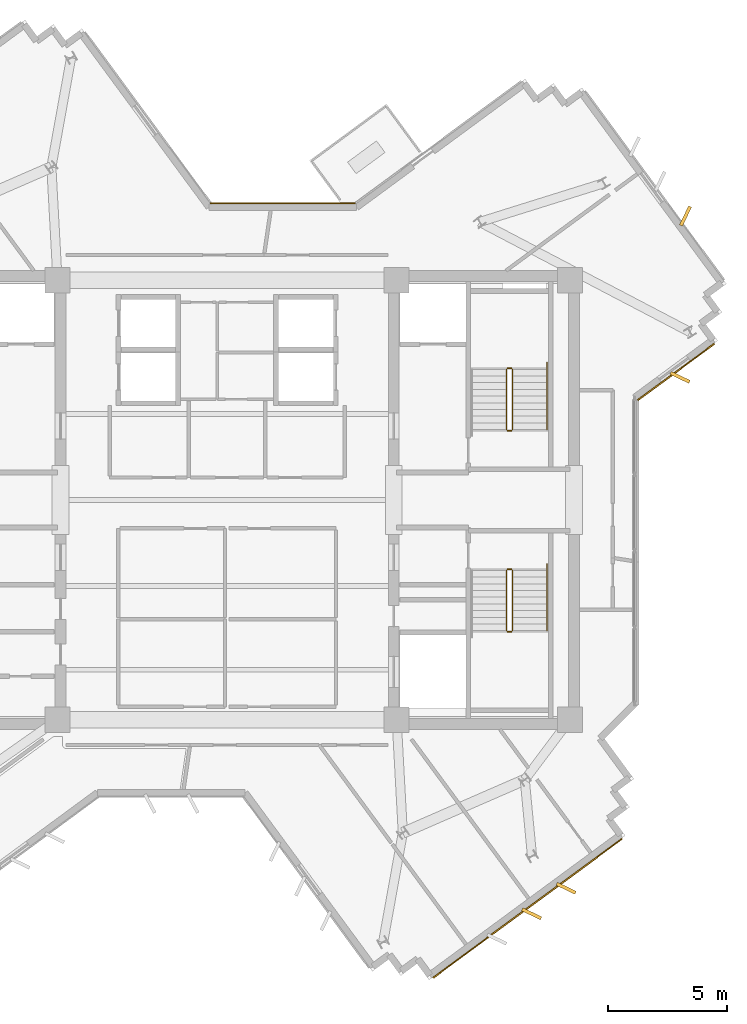
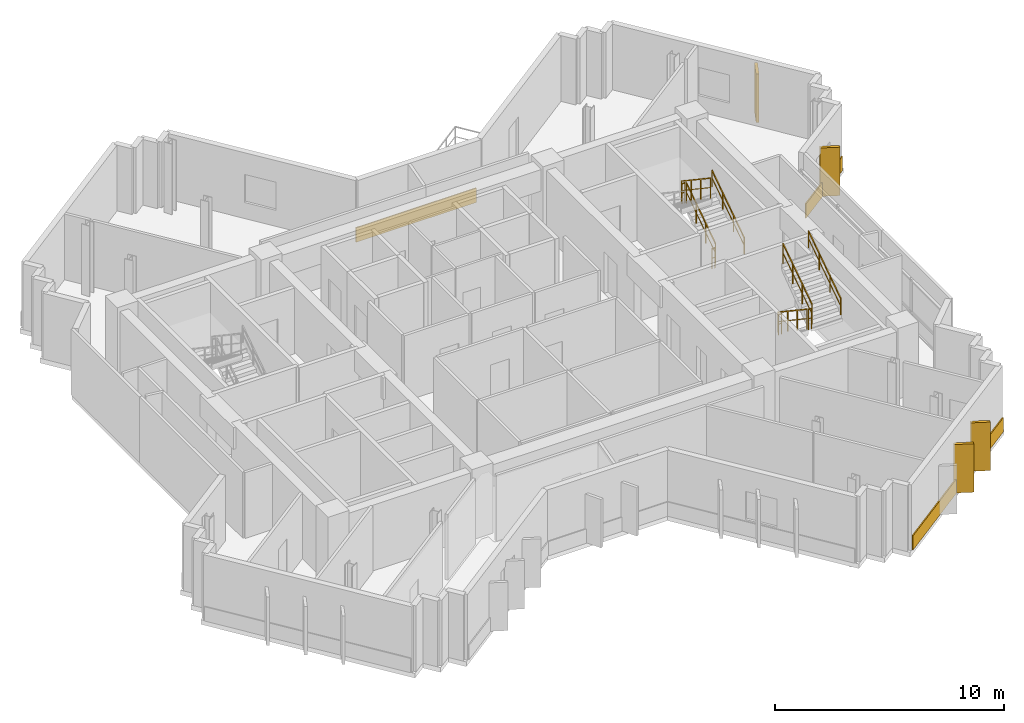
# One storey, part 12 of 13: 10 railings, 7 coverings.
"""IFC4 building model written with IfcOpenShell, lengths in metres."""

from ifc_helpers import new_model, si_unit, direction, frame, origin, origin_2d, place, context, subcontext, project, spatial, rectangle, extrude, source, transform, mapped, material, layer, layer_set, type_object, element, save


model = new_model("IFC4")

# Units and contexts
model_context = context("Model", 3, precision=1e-05, world=origin(), true_north=direction((0.0, 1.0)))
body_context = subcontext(model_context, "Body", "Model", "MODEL_VIEW")
ifc_project = project(units=[si_unit("LENGTHUNIT", "METRE"), si_unit("AREAUNIT", "SQUARE_METRE"), si_unit("VOLUMEUNIT", "CUBIC_METRE"), si_unit("PLANEANGLEUNIT", "RADIAN"), si_unit("MASSUNIT", "GRAM", prefix="KILO")], contexts=[model_context])

# Site, building, storey
site_placement = place(None, origin())
site = spatial("IfcSite", under=ifc_project, at=site_placement, CompositionType="ELEMENT")
building_placement = place(site_placement, origin())
building = spatial("IfcBuilding", under=site, at=building_placement, Name="Zahravan Cultural Tower", CompositionType="ELEMENT")
storey_placement = place(building_placement, frame((0.0, 0.0, 276.60009765625)))
storey = spatial("IfcBuildingStorey", under=building, at=storey_placement, Name="L66", CompositionType="ELEMENT", Elevation=276.60009765625)

# Railings
ifc_material_1 = material(Name="Steel ASTM A572 Grade 50", Category="steel")
railing_type_1 = type_object("IfcRailingType", Name="RL-STAIR-GRD1150", PredefinedType="BALUSTRADE", material=ifc_material_1)
railing_1_placement = place(storey_placement, frame((47.949951171875, 29.949951171875, 0.1875)))
element("IfcRailing", 1, at=railing_1_placement, inside=storey, type_object=railing_type_1, Name="L66 ST-E1 stair guard 1", PredefinedType="BALUSTRADE", context=body_context, shape_type="SweptSolid", body=[
    extrude(rectangle(XDim=0.05, YDim=0.05, at=origin_2d()), frame((0.0, 0.0, 1.0751953125), z_axis=(0.0, 0.830909170722, 0.55640807867), x_axis=(-1.0, 0.0, 0.0)), (0.0, 0.0, 1.0), 3.032958984375),
    extrude(rectangle(XDim=0.032, YDim=0.032, at=origin_2d()), frame((0.0, 0.0, 0.572021484375), z_axis=(0.0, 0.830909170722, 0.55640807867), x_axis=(-1.0, 0.0, 0.0)), (0.0, 0.0, 1.0), 3.032958984375),
    extrude(rectangle(XDim=0.04, YDim=0.04, at=origin_2d()), origin(), (0.0, 0.0, 1.0), 1.10009765625),
    extrude(rectangle(XDim=0.04, YDim=0.04, at=origin_2d()), frame((0.0, 0.840087890625, 0.5625)), (0.0, 0.0, 1.0), 1.10009765625),
    extrude(rectangle(XDim=0.04, YDim=0.04, at=origin_2d()), frame((0.0, 1.679931640625, 1.125)), (0.0, 0.0, 1.0), 1.10009765625),
    extrude(rectangle(XDim=0.04, YDim=0.04, at=origin_2d()), frame((0.0, 2.52001953125, 1.6875)), (0.0, 0.0, 1.0), 1.10009765625),
])
railing_2_placement = place(storey_placement, frame((47.89990234375, 32.52001953125, 1.875)))
element("IfcRailing", 2, at=railing_2_placement, inside=storey, type_object=railing_type_1, Name="L66 ST-E1 stair guard 2", PredefinedType="BALUSTRADE", context=body_context, shape_type="SweptSolid", body=[
    extrude(rectangle(XDim=0.05, YDim=0.05, at=origin_2d()), frame((0.0, 0.0, 1.0751953125), z_axis=(-1.0, 0.0, 0.0), x_axis=(0.0, -1.0, 0.0)), (0.0, 0.0, 1.0), 0.14990234375),
    extrude(rectangle(XDim=0.032, YDim=0.032, at=origin_2d()), frame((0.0, 0.0, 0.572021484375), z_axis=(-1.0, 0.0, 0.0), x_axis=(0.0, -1.0, 0.0)), (0.0, 0.0, 1.0), 0.14990234375),
    extrude(rectangle(XDim=0.04, YDim=0.04, at=origin_2d()), origin(), (0.0, 0.0, 1.0), 1.10009765625),
    extrude(rectangle(XDim=0.04, YDim=0.04, at=origin_2d()), frame((-0.14990234375, 0.0, 0.0)), (0.0, 0.0, 1.0), 1.10009765625),
])
railing_3_placement = place(storey_placement, frame((47.699951171875, 32.469970703125, 2.0625)))
element("IfcRailing", 3, at=railing_3_placement, inside=storey, type_object=railing_type_1, Name="L66 ST-E1 stair guard 3", PredefinedType="BALUSTRADE", context=body_context, shape_type="SweptSolid", body=[
    extrude(rectangle(XDim=0.05, YDim=0.05, at=origin_2d()), frame((0.0, 0.0, 1.0751953125), z_axis=(0.0, -0.830909170722, 0.55640807867), x_axis=(1.0, 0.0, 0.0)), (0.0, 0.0, 1.0), 3.032958984375),
    extrude(rectangle(XDim=0.032, YDim=0.032, at=origin_2d()), frame((0.0, 0.0, 0.572021484375), z_axis=(0.0, -0.830909170722, 0.55640807867), x_axis=(1.0, 0.0, 0.0)), (0.0, 0.0, 1.0), 3.032958984375),
    extrude(rectangle(XDim=0.04, YDim=0.04, at=origin_2d()), origin(), (0.0, 0.0, 1.0), 1.10009765625),
    extrude(rectangle(XDim=0.04, YDim=0.04, at=origin_2d()), frame((0.0, -0.840087890625, 0.5625)), (0.0, 0.0, 1.0), 1.10009765625),
    extrude(rectangle(XDim=0.04, YDim=0.04, at=origin_2d()), frame((0.0, -1.679931640625, 1.125)), (0.0, 0.0, 1.0), 1.10009765625),
    extrude(rectangle(XDim=0.04, YDim=0.04, at=origin_2d()), frame((0.0, -2.52001953125, 1.6875)), (0.0, 0.0, 1.0), 1.10009765625),
])
railing_4_placement = place(storey_placement, frame((47.89990234375, 29.89990234375, 0.0)))
element("IfcRailing", 4, at=railing_4_placement, inside=storey, type_object=railing_type_1, Name="L66 ST-E1 stair guard 4", PredefinedType="BALUSTRADE", context=body_context, shape_type="SweptSolid", body=[
    extrude(rectangle(XDim=0.05, YDim=0.05, at=origin_2d()), frame((0.0, 0.0, 1.0751953125), z_axis=(-1.0, 0.0, 0.0), x_axis=(0.0, -1.0, 0.0)), (0.0, 0.0, 1.0), 0.14990234375),
    extrude(rectangle(XDim=0.032, YDim=0.032, at=origin_2d()), frame((0.0, 0.0, 0.572021484375), z_axis=(-1.0, 0.0, 0.0), x_axis=(0.0, -1.0, 0.0)), (0.0, 0.0, 1.0), 0.14990234375),
    extrude(rectangle(XDim=0.04, YDim=0.04, at=origin_2d()), origin(), (0.0, 0.0, 1.0), 1.10009765625),
    extrude(rectangle(XDim=0.04, YDim=0.04, at=origin_2d()), frame((-0.14990234375, 0.0, 0.0)), (0.0, 0.0, 1.0), 1.10009765625),
])
railing_5_placement = place(storey_placement, frame((47.699951171875, 24.050048828125, 0.1875)))
element("IfcRailing", 5, at=railing_5_placement, inside=storey, type_object=railing_type_1, Name="L66 ST-E2 stair guard 1", PredefinedType="BALUSTRADE", context=body_context, shape_type="SweptSolid", body=[
    extrude(rectangle(XDim=0.05, YDim=0.05, at=origin_2d()), frame((0.0, 0.0, 1.0751953125), z_axis=(0.0, -0.830909170722, 0.55640807867), x_axis=(1.0, 0.0, 0.0)), (0.0, 0.0, 1.0), 3.032958984375),
    extrude(rectangle(XDim=0.032, YDim=0.032, at=origin_2d()), frame((0.0, 0.0, 0.572021484375), z_axis=(0.0, -0.830909170722, 0.55640807867), x_axis=(1.0, 0.0, 0.0)), (0.0, 0.0, 1.0), 3.032958984375),
    extrude(rectangle(XDim=0.04, YDim=0.04, at=origin_2d()), origin(), (0.0, 0.0, 1.0), 1.10009765625),
    extrude(rectangle(XDim=0.04, YDim=0.04, at=origin_2d()), frame((0.0, -0.840087890625, 0.5625)), (0.0, 0.0, 1.0), 1.10009765625),
    extrude(rectangle(XDim=0.04, YDim=0.04, at=origin_2d()), frame((0.0, -1.679931640625, 1.125)), (0.0, 0.0, 1.0), 1.10009765625),
    extrude(rectangle(XDim=0.04, YDim=0.04, at=origin_2d()), frame((0.0, -2.52001953125, 1.6875)), (0.0, 0.0, 1.0), 1.10009765625),
])
railing_6_placement = place(storey_placement, frame((47.75, 21.47998046875, 1.875)))
element("IfcRailing", 6, at=railing_6_placement, inside=storey, type_object=railing_type_1, Name="L66 ST-E2 stair guard 2", PredefinedType="BALUSTRADE", context=body_context, shape_type="SweptSolid", body=[
    extrude(rectangle(XDim=0.05, YDim=0.05, at=origin_2d()), frame((0.0, 0.0, 1.0751953125), z_axis=(1.0, 0.0, 0.0), x_axis=(0.0, 1.0, 0.0)), (0.0, 0.0, 1.0), 0.14990234375),
    extrude(rectangle(XDim=0.032, YDim=0.032, at=origin_2d()), frame((0.0, 0.0, 0.572021484375), z_axis=(1.0, 0.0, 0.0), x_axis=(0.0, 1.0, 0.0)), (0.0, 0.0, 1.0), 0.14990234375),
    extrude(rectangle(XDim=0.04, YDim=0.04, at=origin_2d()), origin(), (0.0, 0.0, 1.0), 1.10009765625),
    extrude(rectangle(XDim=0.04, YDim=0.04, at=origin_2d()), frame((0.14990234375, 0.0, 0.0)), (0.0, 0.0, 1.0), 1.10009765625),
])
railing_7_placement = place(storey_placement, frame((47.949951171875, 21.530029296875, 2.0625)))
element("IfcRailing", 7, at=railing_7_placement, inside=storey, type_object=railing_type_1, Name="L66 ST-E2 stair guard 3", PredefinedType="BALUSTRADE", context=body_context, shape_type="SweptSolid", body=[
    extrude(rectangle(XDim=0.05, YDim=0.05, at=origin_2d()), frame((0.0, 0.0, 1.0751953125), z_axis=(0.0, 0.830909170722, 0.55640807867), x_axis=(-1.0, 0.0, 0.0)), (0.0, 0.0, 1.0), 3.032958984375),
    extrude(rectangle(XDim=0.032, YDim=0.032, at=origin_2d()), frame((0.0, 0.0, 0.572021484375), z_axis=(0.0, 0.830909170722, 0.55640807867), x_axis=(-1.0, 0.0, 0.0)), (0.0, 0.0, 1.0), 3.032958984375),
    extrude(rectangle(XDim=0.04, YDim=0.04, at=origin_2d()), origin(), (0.0, 0.0, 1.0), 1.10009765625),
    extrude(rectangle(XDim=0.04, YDim=0.04, at=origin_2d()), frame((0.0, 0.840087890625, 0.5625)), (0.0, 0.0, 1.0), 1.10009765625),
    extrude(rectangle(XDim=0.04, YDim=0.04, at=origin_2d()), frame((0.0, 1.679931640625, 1.125)), (0.0, 0.0, 1.0), 1.10009765625),
    extrude(rectangle(XDim=0.04, YDim=0.04, at=origin_2d()), frame((0.0, 2.52001953125, 1.6875)), (0.0, 0.0, 1.0), 1.10009765625),
])
railing_8_placement = place(storey_placement, frame((47.75, 24.10009765625, 0.0)))
element("IfcRailing", 8, at=railing_8_placement, inside=storey, type_object=railing_type_1, Name="L66 ST-E2 stair guard 4", PredefinedType="BALUSTRADE", context=body_context, shape_type="SweptSolid", body=[
    extrude(rectangle(XDim=0.05, YDim=0.05, at=origin_2d()), frame((0.0, 0.0, 1.0751953125), z_axis=(1.0, 0.0, 0.0), x_axis=(0.0, 1.0, 0.0)), (0.0, 0.0, 1.0), 0.14990234375),
    extrude(rectangle(XDim=0.032, YDim=0.032, at=origin_2d()), frame((0.0, 0.0, 0.572021484375), z_axis=(1.0, 0.0, 0.0), x_axis=(0.0, 1.0, 0.0)), (0.0, 0.0, 1.0), 0.14990234375),
    extrude(rectangle(XDim=0.04, YDim=0.04, at=origin_2d()), origin(), (0.0, 0.0, 1.0), 1.10009765625),
    extrude(rectangle(XDim=0.04, YDim=0.04, at=origin_2d()), frame((0.14990234375, 0.0, 0.0)), (0.0, 0.0, 1.0), 1.10009765625),
])
railing_type_2 = type_object("IfcRailingType", Name="RL-STAIR-HR900", PredefinedType="HANDRAIL", material=ifc_material_1)
for number, where, name in (
    (9, (49.39990234375, 29.949951171875, 0.1875), "L66 ST-E1 stair handrail 1"),
    (10, (49.39990234375, 21.530029296875, 2.0625), "L66 ST-E2 stair handrail 2"),
):
    element("IfcRailing", number, at=place(storey_placement, frame(where)), inside=storey, type_object=railing_type_2, Name=name, PredefinedType="HANDRAIL", context=body_context, shape_type="SweptSolid", body=[
        extrude(rectangle(XDim=0.05, YDim=0.05, at=origin_2d()), frame((0.0, 0.0, 0.875), z_axis=(0.0, 0.830911662861, 0.55640435703), x_axis=(-1.0, 0.0, 0.0)), (0.0, 0.0, 1.0), 3.369873046875),
        extrude(rectangle(XDim=0.032, YDim=0.032, at=origin_2d()), frame((0.0, 0.0, 0.468017578125), z_axis=(0.0, 0.830911662861, 0.55640435703), x_axis=(-1.0, 0.0, 0.0)), (0.0, 0.0, 1.0), 3.369873046875),
        extrude(rectangle(XDim=0.04, YDim=0.04, at=origin_2d()), origin(), (0.0, 0.0, 1.0), 0.89990234375),
        extrude(rectangle(XDim=0.04, YDim=0.04, at=origin_2d()), frame((0.0, 0.933349609375, 0.625)), (0.0, 0.0, 1.0), 0.89990234375),
        extrude(rectangle(XDim=0.04, YDim=0.04, at=origin_2d()), frame((0.0, 1.86669921875, 1.25)), (0.0, 0.0, 1.0), 0.89990234375),
        extrude(rectangle(XDim=0.04, YDim=0.04, at=origin_2d()), frame((0.0, 2.800048828125, 1.875)), (0.0, 0.0, 1.0), 0.89990234375),
    ])

# Coverings
ifc_material_2 = material(Name="Terracotta ceramic cladding", Category="masonry")
ifc_layer = layer(ifc_material_2, 0.06005859375)
ifc_layer_set = layer_set([ifc_layer], Name="Terracotta ceramic cladding")
covering_type = type_object("IfcCoveringType", Name="COV-CLAD-TC60", PredefinedType="CLADDING", material=ifc_layer_set)
shared_shape_1 = source(origin(), body_context, "Body", "SweptSolid", [
    extrude(rectangle(XDim=9.820068359375, YDim=0.06005859375, at=origin_2d()), origin(), (0.0, 0.0, 1.0), 0.760009765625),
])
covering_1_placement = place(storey_placement, frame((48.580322265625, 9.905029296875, 0.02001953125), z_axis=(0.0, 0.0, 1.0), x_axis=(-0.80541134648, -0.592716258391, 0.0)))
element("IfcCovering", 11, at=covering_1_placement, inside=storey, type_object=covering_type, Name="L66 Terracotta Spandrel Cladding 18", PredefinedType="CLADDING", context=body_context, shape_type="MappedRepresentation", body=[
    mapped(shared_shape_1, transform((0.0, 0.0, 0.0), x_axis=(1.0, 0.0, 0.0), y_axis=(0.0, 1.0, 0.0), z_axis=(0.0, 0.0, 1.0), scale=1.0)),
])
shared_shape_2 = source(origin(), body_context, "Body", "SweptSolid", [
    extrude(rectangle(XDim=0.8798828125, YDim=0.139892578125, at=origin_2d()), origin(), (0.0, 0.0, 1.0), 2.580078125),
])
for number, where, z_axis, x_axis, name in (
    (12, (55.19677734375, 38.892333984375, 0.0498046875), (0.0, 0.0, 1.0), (0.43287258152, 0.901455117112, 0.0), "L66 Herringbone Terracotta Fin 03"),
    (13, (54.969482421875, 32.13232421875, 0.0498046875), (0.0, 0.0, 1.0), (0.901455117112, -0.43287258152, 0.0), "L66 Herringbone Terracotta Fin 04"),
    (14, (50.19921875, 10.742431640625, 0.0498046875), (0.0, 0.0, 1.0), (0.901455117112, -0.43287258152, 0.0), "L66 Herringbone Terracotta Fin 05"),
    (15, (48.74951171875, 9.675537109375, 0.0498046875), (0.0, 0.0, 1.0), (0.901455117112, -0.43287258152, 0.0), "L66 Herringbone Terracotta Fin 06"),
):
    element("IfcCovering", number, at=place(storey_placement, frame(where, z_axis=z_axis, x_axis=x_axis)), inside=storey, type_object=covering_type, Name=name, PredefinedType="CLADDING", context=body_context, shape_type="MappedRepresentation", body=[
        mapped(shared_shape_2, transform((0.0, 0.0, 0.0), x_axis=(1.0, 0.0, 0.0), y_axis=(0.0, 1.0, 0.0), z_axis=(0.0, 0.0, 1.0), scale=1.0)),
    ])
shared_shape_3 = source(origin(), body_context, "Body", "SweptSolid", [
    extrude(rectangle(XDim=3.9794921875, YDim=0.06005859375, at=origin_2d()), origin(), (0.0, 0.0, 1.0), 0.760009765625),
])
covering_2_placement = place(storey_placement, frame((54.800537109375, 32.36181640625, 0.02001953125), z_axis=(0.0, 0.0, 1.0), x_axis=(-0.80541134648, -0.592716258391, 0.0)))
element("IfcCovering", 16, at=covering_2_placement, inside=storey, type_object=covering_type, Name="L66 Terracotta Spandrel Cladding 11", PredefinedType="CLADDING", context=body_context, shape_type="MappedRepresentation", body=[
    mapped(shared_shape_3, transform((0.0, 0.0, 0.0), x_axis=(1.0, 0.0, 0.0), y_axis=(0.0, 1.0, 0.0), z_axis=(0.0, 0.0, 1.0), scale=1.0)),
])
shared_shape_4 = source(origin(), body_context, "Body", "SweptSolid", [
    extrude(rectangle(XDim=6.076416015625, YDim=0.06005859375, at=origin_2d()), origin(), (0.0, 0.0, 1.0), 0.760009765625),
])
covering_3_placement = place(storey_placement, frame((38.3349609375, 39.425048828125, 0.02001953125), z_axis=(0.0, 0.0, 1.0), x_axis=(1.0, 0.0, 0.0)))
element("IfcCovering", 17, at=covering_3_placement, inside=storey, type_object=covering_type, Name="L66 Terracotta Spandrel Cladding 48", PredefinedType="CLADDING", context=body_context, shape_type="MappedRepresentation", body=[
    mapped(shared_shape_4, transform((0.0, 0.0, 0.0), x_axis=(1.0, 0.0, 0.0), y_axis=(0.0, 1.0, 0.0), z_axis=(0.0, 0.0, 1.0), scale=1.0)),
])

save(model, "model.ifc")
